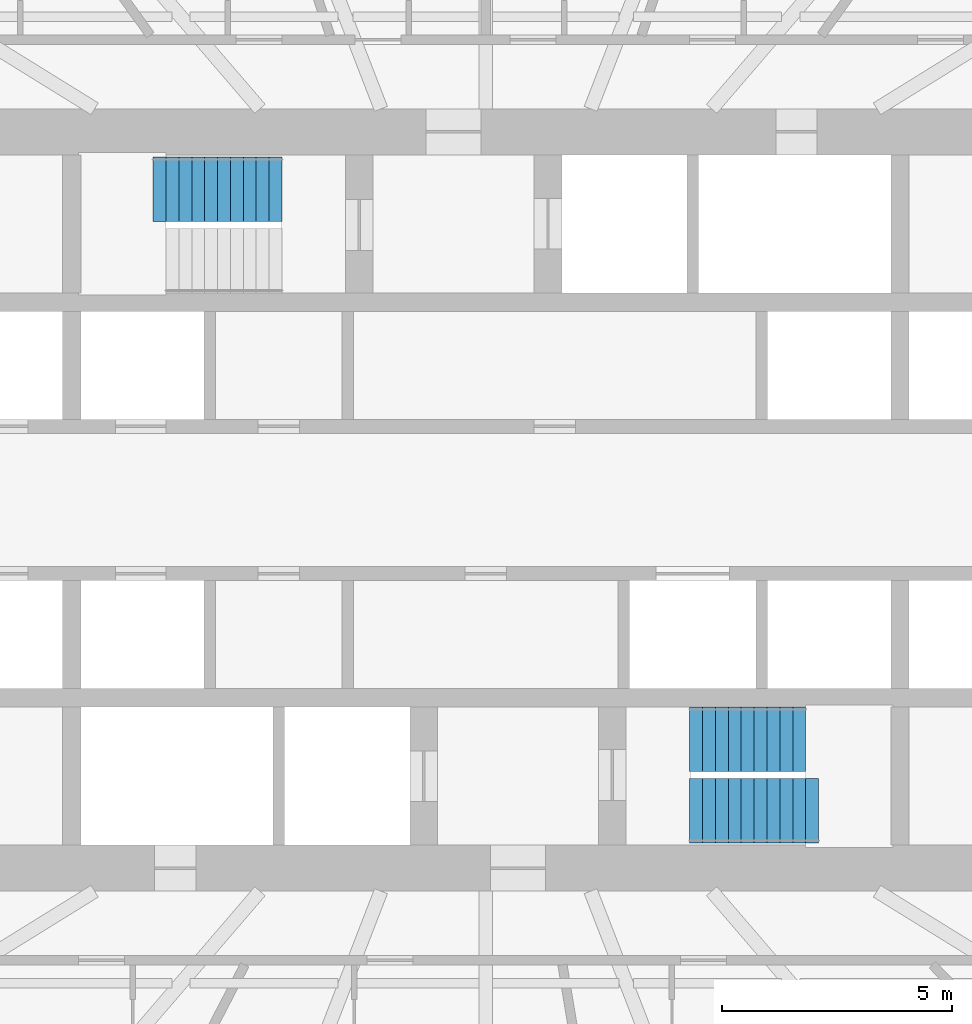
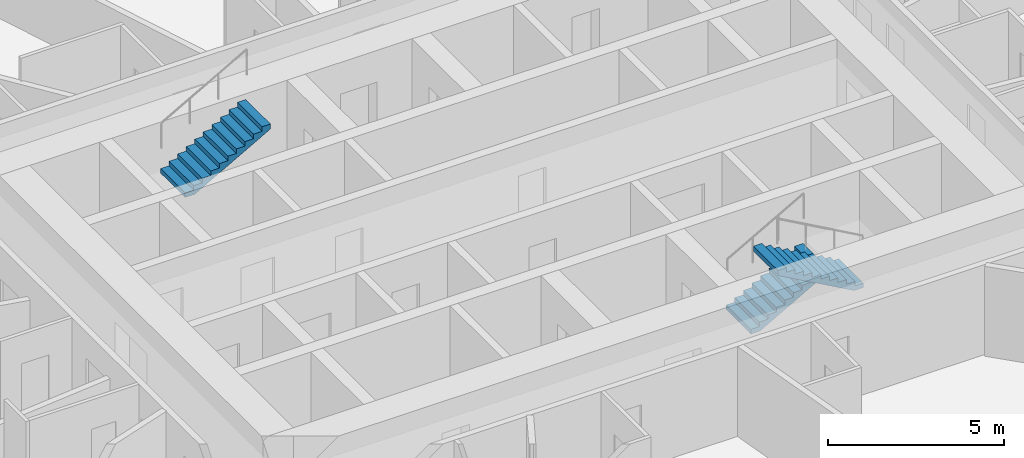
# One storey, part 12 of 13: 3 stair flights, 2 elements without a shape of their own.
"""IFC4 building model written with IfcOpenShell, lengths in metres."""

import ifcopenshell
import ifcopenshell.guid

model = None  # the IFC model being written
_history = None  # IfcOwnerHistory: only IFC2X3 demands one
_inside = {}  # id of a spatial element -> (the spatial element, [elements in it])
_under = {}  # id of a project, library or spatial element -> (it, [spatial elements below it])
_declared = {}  # id of a project -> (the project, [libraries it declares])
_typed = {}  # id of a type object -> (the type object, [elements of that type])
_made_of = {}  # id of a material, layer set ... -> (it, [elements and type objects made of it])


def new_model(schema):
    """Start an empty IFC model of exactly this schema.

    Asked for "IFC4X3", IfcOpenShell would pick the latest addendum, in which some entities
    have other attributes; the version numbers below select the first issue.
    IFC2X3 requires an IfcOwnerHistory on every rooted entity: one is made here for all.
    """
    global model, _history
    if schema == "IFC4X3":
        model = ifcopenshell.file(schema_version=(4, 3, 0, 0))
    else:
        model = ifcopenshell.file(schema=schema)
    _inside.clear()
    _under.clear()
    _declared.clear()
    _typed.clear()
    _made_of.clear()
    _history = None
    if model.schema == "IFC2X3":
        org = make("IfcOrganization", Name="unknown")
        user = make(
            "IfcPersonAndOrganization",
            ThePerson=make("IfcPerson", FamilyName="unknown"),
            TheOrganization=org,
        )
        app = make(
            "IfcApplication",
            ApplicationDeveloper=org,
            Version="unknown",
            ApplicationFullName="unknown",
            ApplicationIdentifier="unknown",
        )
        _history = make(
            "IfcOwnerHistory",
            OwningUser=user,
            OwningApplication=app,
            ChangeAction="ADDED",
            CreationDate=0,
        )
    return model


def make(cls, **values):
    """One entity of the class cls with the attributes given. An attribute that is None is left unset."""
    return model.create_entity(
        cls, **{name: value for name, value in values.items() if value is not None}
    )


def rooted(cls, **values):
    """An entity with a GlobalId (a new one), such as an element, a storey or a relation."""
    return make(cls, GlobalId=ifcopenshell.guid.new(), OwnerHistory=_history, **values)


def si_unit(unit_type, name, prefix=None):
    """IfcSIUnit, for example si_unit("LENGTHUNIT", "METRE", prefix="MILLI")."""
    return make("IfcSIUnit", UnitType=unit_type, Prefix=prefix, Name=name)


def assignment(units):
    """IfcUnitAssignment: the units of a project."""
    return None if units is None else make("IfcUnitAssignment", Units=units)


def point(xyz):
    """IfcCartesianPoint."""
    return None if xyz is None else make("IfcCartesianPoint", Coordinates=xyz)


def direction(xyz):
    """IfcDirection."""
    return None if xyz is None else make("IfcDirection", DirectionRatios=xyz)


def frame(location, z_axis=None, x_axis=None):
    """IfcAxis2Placement3D, a coordinate frame: its origin and axes. An axis left out is left unset."""
    return make(
        "IfcAxis2Placement3D",
        Location=point(location),
        Axis=direction(z_axis),
        RefDirection=direction(x_axis),
    )


def origin():
    """The frame at (0, 0, 0) with its axes left unset."""
    return frame((0.0, 0.0, 0.0))


def place(relative_to, where):
    """IfcLocalPlacement: puts the frame where relative to a parent placement (None: the world)."""
    return make(
        "IfcLocalPlacement", PlacementRelTo=relative_to, RelativePlacement=where
    )


def context(
    kind, dimensions, precision=None, world=None, true_north=None, identifier=None
):
    """IfcGeometricRepresentationContext, for example the 3D "Model" context."""
    return make(
        "IfcGeometricRepresentationContext",
        ContextIdentifier=identifier,
        ContextType=kind,
        CoordinateSpaceDimension=dimensions,
        Precision=precision,
        WorldCoordinateSystem=world,
        TrueNorth=true_north,
    )


def subcontext(parent, identifier, kind, view, scale=None):
    """IfcGeometricRepresentationSubContext, for example "Body" below "Model"."""
    return make(
        "IfcGeometricRepresentationSubContext",
        ContextIdentifier=identifier,
        ContextType=kind,
        ParentContext=parent,
        TargetScale=scale,
        TargetView=view,
    )


def project(units=None, contexts=None):
    """IfcProject with its units and contexts."""
    return rooted(
        "IfcProject",
        Name="project",
        RepresentationContexts=contexts,
        UnitsInContext=assignment(units),
    )


def spatial(cls, under=None, at=None, **own):
    """A site, building, storey or space (cls), placed at a placement, below another one or the project."""
    s = rooted(cls, ObjectPlacement=at, **own)
    if under is not None:
        _under.setdefault(under.id(), (under, []))[1].append(s)
    return s


def polyline(points):
    """IfcPolyline through the points."""
    return make("IfcPolyline", Points=[point(p) for p in points])


def outline(outer, holes=None, kind="AREA"):
    """IfcArbitraryClosedProfileDef: a profile drawn as a closed curve; with holes, ...WithVoids."""
    if holes is None:
        return make("IfcArbitraryClosedProfileDef", ProfileType=kind, OuterCurve=outer)
    return make(
        "IfcArbitraryProfileDefWithVoids",
        ProfileType=kind,
        OuterCurve=outer,
        InnerCurves=holes,
    )


def extrude(swept, where, along, depth):
    """IfcExtrudedAreaSolid: the profile swept, set in the frame where, extruded along a direction by depth."""
    return make(
        "IfcExtrudedAreaSolid",
        SweptArea=swept,
        Position=where,
        ExtrudedDirection=direction(along),
        Depth=depth,
    )


def shape(context_of_items, identifier, shape_type, items):
    """IfcShapeRepresentation: the items that make up one representation, for example the "Body"."""
    return make(
        "IfcShapeRepresentation",
        ContextOfItems=context_of_items,
        RepresentationIdentifier=identifier,
        RepresentationType=shape_type,
        Items=items,
    )


def material(Name=None, Category=None):
    """IfcMaterial."""
    return make("IfcMaterial", Name=Name, Category=Category)


def made_of(thing, what):
    """Note that an element or type object is made of a material, layer set ...; save() writes the relation."""
    if what is not None:
        _made_of.setdefault(what.id(), (what, []))[1].append(thing)
    return thing


def type_object(cls, material=None, **own):
    """A type object (cls), such as IfcWallType, which elements share."""
    return made_of(rooted(cls, **own), material)


def element(
    cls,
    number,
    at=None,
    inside=None,
    cuts=None,
    type_object=None,
    material=None,
    context=None,
    identifier="Body",
    shape_type=None,
    held_by="IfcProductDefinitionShape",
    body=None,
    shapes=None,
    **own,
):
    """One element of the class cls, such as IfcWall. Its Tag is "e" and its number.

    at: its placement. inside: the storey or other place that contains it. cuts: it is an
    opening in that element (IfcRelVoidsElement). A single representation is given by context,
    identifier, shape_type and body (its items); several are given by shapes. held_by: the class
    of the entity that holds the representations. save() writes the other relations.
    """
    e = rooted(cls, Tag="e%d" % number, ObjectPlacement=at, **own)
    if body is not None:
        shapes = [shape(context, identifier, shape_type, body)]
    if shapes is not None:
        e.Representation = make(held_by, Representations=shapes)
    if inside is not None:
        _inside.setdefault(inside.id(), (inside, []))[1].append(e)
    if cuts is not None:
        rooted(
            "IfcRelVoidsElement", RelatingBuildingElement=cuts, RelatedOpeningElement=e
        )
    if type_object is not None:
        _typed.setdefault(type_object.id(), (type_object, []))[1].append(e)
    return made_of(e, material)


def aggregate(whole, parts):
    """IfcRelAggregates: a whole, such as a stair, and the parts it consists of."""
    return rooted("IfcRelAggregates", RelatingObject=whole, RelatedObjects=parts)


def save(model, path):
    """Write the relations noted so far, then the file.

    IfcRelAggregates (storeys below a building ...), IfcRelContainedInSpatialStructure (elements
    in a storey), IfcRelDefinesByType, IfcRelAssociatesMaterial and IfcRelDeclares: one each for
    every whole, place, type object, material and project.
    """
    for whole, parts in _under.values():
        aggregate(whole, parts)
    for where, things in _inside.values():
        rooted(
            "IfcRelContainedInSpatialStructure",
            RelatedElements=things,
            RelatingStructure=where,
        )
    for kind, things in _typed.values():
        rooted("IfcRelDefinesByType", RelatedObjects=things, RelatingType=kind)
    for what, things in _made_of.values():
        rooted("IfcRelAssociatesMaterial", RelatedObjects=things, RelatingMaterial=what)
    for by, libraries in _declared.values():
        rooted("IfcRelDeclares", RelatingContext=by, RelatedDefinitions=libraries)
    model.write(path)


model = new_model("IFC4")

# Units and contexts
model_context = context("Model", 3, precision=1e-05, world=origin(), true_north=direction((0.0, 1.0)))
body_context = subcontext(model_context, "Body", "Model", "MODEL_VIEW")
ifc_project = project(units=[si_unit("LENGTHUNIT", "METRE"), si_unit("AREAUNIT", "SQUARE_METRE"), si_unit("VOLUMEUNIT", "CUBIC_METRE"), si_unit("PLANEANGLEUNIT", "RADIAN"), si_unit("MASSUNIT", "GRAM", prefix="KILO")], contexts=[model_context])

# Site, building, storey
site_placement = place(None, origin())
site = spatial("IfcSite", under=ifc_project, at=site_placement, CompositionType="ELEMENT")
building_placement = place(site_placement, origin())
building = spatial("IfcBuilding", under=site, at=building_placement, Name="Hankou Lantern Tower", CompositionType="ELEMENT")
storey_placement = place(building_placement, frame((0.0, 0.0, 39.300048828125)))
storey = spatial("IfcBuildingStorey", under=building, at=storey_placement, Name="L08", CompositionType="ELEMENT", Elevation=39.300048828125)

# Stair, stair flight
ifc_material_1 = material(Name="Concrete C40", Category="concrete")
stair_type = type_object("IfcStairType", Name="ST33 CORE STAIR 3300 RISE", PredefinedType="HALF_TURN_STAIR", material=ifc_material_1)
stair_1_placement = place(storey_placement, origin())
stair_1 = element("IfcStair", 1, at=stair_1_placement, inside=storey, type_object=stair_type, Name="Stair STB L08", PredefinedType="HALF_TURN_STAIR")
ifc_material_2 = material(Name="Concrete C40", Category="concrete")
stair_flight_type_1 = type_object("IfcStairFlightType", Name="CF10 CORE STAIR FLIGHT 1400 X 10 RISERS", PredefinedType="STRAIGHT", material=ifc_material_2)
stair_flight_1_placement = place(storey_placement, frame((4.429931640625, -5.199951171875, 0.0), z_axis=(0.0, 0.0, 1.0), x_axis=(1.0, 0.0, 0.0)))
stair_flight_1 = element("IfcStairFlight", 2, at=stair_flight_1_placement, type_object=stair_flight_type_1, Name="STB flight 1", NumberOfRisers=10, NumberOfTreads=9, PredefinedType="STRAIGHT", RiserHeight=0.157142857, TreadLength=0.28, context=body_context, shape_type="SweptSolid", body=[
    extrude(outline(polyline([(0.0, 0.0), (0.0, 0.1572265625), (0.280029296875, 0.1572265625), (0.280029296875, 0.314208984375), (0.56005859375, 0.314208984375), (0.56005859375, 0.471435546875), (0.840087890625, 0.471435546875), (0.840087890625, 0.628662109375), (1.1201171875, 0.628662109375), (1.1201171875, 0.78564453125), (1.39990234375, 0.78564453125), (1.39990234375, 0.94287109375), (1.679931640625, 0.94287109375), (1.679931640625, 1.10009765625), (1.9599609375, 1.10009765625), (1.9599609375, 1.257080078125), (2.239990234375, 1.257080078125), (2.239990234375, 1.414306640625), (2.52001953125, 1.414306640625), (2.52001953125, 1.571533203125), (2.52001953125, 1.242431640625), (0.306396484375, 0.0), (0.0, 0.0)])), frame((0.0, 0.699951171875, 0.0), z_axis=(0.0, -1.0, 0.0), x_axis=(1.0, 0.0, 0.0)), (0.0, 0.0, 1.0), 1.39990234375),
])

stair_2_placement = place(storey_placement, origin())
stair_2 = element("IfcStair", 3, at=stair_2_placement, inside=storey, type_object=stair_type, Name="Stair STA L08", PredefinedType="HALF_TURN_STAIR")
ifc_material_3 = material(Name="Concrete C40", Category="concrete")
stair_flight_type_2 = type_object("IfcStairFlightType", Name="CF11 CORE STAIR FLIGHT 1400 X 11 RISERS", PredefinedType="STRAIGHT", material=ifc_material_3)
stair_flight_2_placement = place(storey_placement, frame((-7.22998046875, 6.75, 1.5712890625), z_axis=(0.0, 0.0, 1.0), x_axis=(1.0, 0.0, 0.0)))
stair_flight_2 = element("IfcStairFlight", 4, at=stair_flight_2_placement, type_object=stair_flight_type_2, Name="STA flight 2", NumberOfRisers=11, NumberOfTreads=10, PredefinedType="STRAIGHT", RiserHeight=0.157142857, TreadLength=0.28, context=body_context, shape_type="SweptSolid", body=[
    extrude(outline(polyline([(0.0, 0.0), (0.0, 0.1572265625), (0.280029296875, 0.1572265625), (0.280029296875, 0.314208984375), (0.56005859375, 0.314208984375), (0.56005859375, 0.471435546875), (0.840087890625, 0.471435546875), (0.840087890625, 0.628662109375), (1.1201171875, 0.628662109375), (1.1201171875, 0.78564453125), (1.39990234375, 0.78564453125), (1.39990234375, 0.94287109375), (1.679931640625, 0.94287109375), (1.679931640625, 1.10009765625), (1.9599609375, 1.10009765625), (1.9599609375, 1.257080078125), (2.239990234375, 1.257080078125), (2.239990234375, 1.414306640625), (2.52001953125, 1.414306640625), (2.52001953125, 1.571533203125), (2.800048828125, 1.571533203125), (2.800048828125, 1.728515625), (2.800048828125, 1.3994140625), (0.306396484375, 0.0), (0.0, 0.0)])), frame((0.0, 0.699951171875, 0.0), z_axis=(0.0, -1.0, 0.0), x_axis=(1.0, 0.0, 0.0)), (0.0, 0.0, 1.0), 1.39990234375),
])
aggregate(stair_2, [stair_flight_2])

# Stair flight
stair_flight_3_placement = place(storey_placement, frame((7.22998046875, -6.75, 1.5712890625), z_axis=(0.0, 0.0, 1.0), x_axis=(-1.0, 0.0, 0.0)))
stair_flight_3 = element("IfcStairFlight", 5, at=stair_flight_3_placement, type_object=stair_flight_type_2, Name="STB flight 2", NumberOfRisers=11, NumberOfTreads=10, PredefinedType="STRAIGHT", RiserHeight=0.157142857, TreadLength=0.28, context=body_context, shape_type="SweptSolid", body=[
    extrude(outline(polyline([(0.0, 0.0), (0.0, 0.1572265625), (0.280029296875, 0.1572265625), (0.280029296875, 0.314208984375), (0.56005859375, 0.314208984375), (0.56005859375, 0.471435546875), (0.840087890625, 0.471435546875), (0.840087890625, 0.628662109375), (1.1201171875, 0.628662109375), (1.1201171875, 0.78564453125), (1.39990234375, 0.78564453125), (1.39990234375, 0.94287109375), (1.679931640625, 0.94287109375), (1.679931640625, 1.10009765625), (1.9599609375, 1.10009765625), (1.9599609375, 1.257080078125), (2.239990234375, 1.257080078125), (2.239990234375, 1.414306640625), (2.52001953125, 1.414306640625), (2.52001953125, 1.571533203125), (2.800048828125, 1.571533203125), (2.800048828125, 1.728515625), (2.800048828125, 1.3994140625), (0.306396484375, 0.0), (0.0, 0.0)])), frame((0.0, 0.699951171875, 0.0), z_axis=(0.0, -1.0, 0.0), x_axis=(1.0, 0.0, 0.0)), (0.0, 0.0, 1.0), 1.39990234375),
])

aggregate(stair_1, [stair_flight_1, stair_flight_3])

save(model, "model.ifc")
